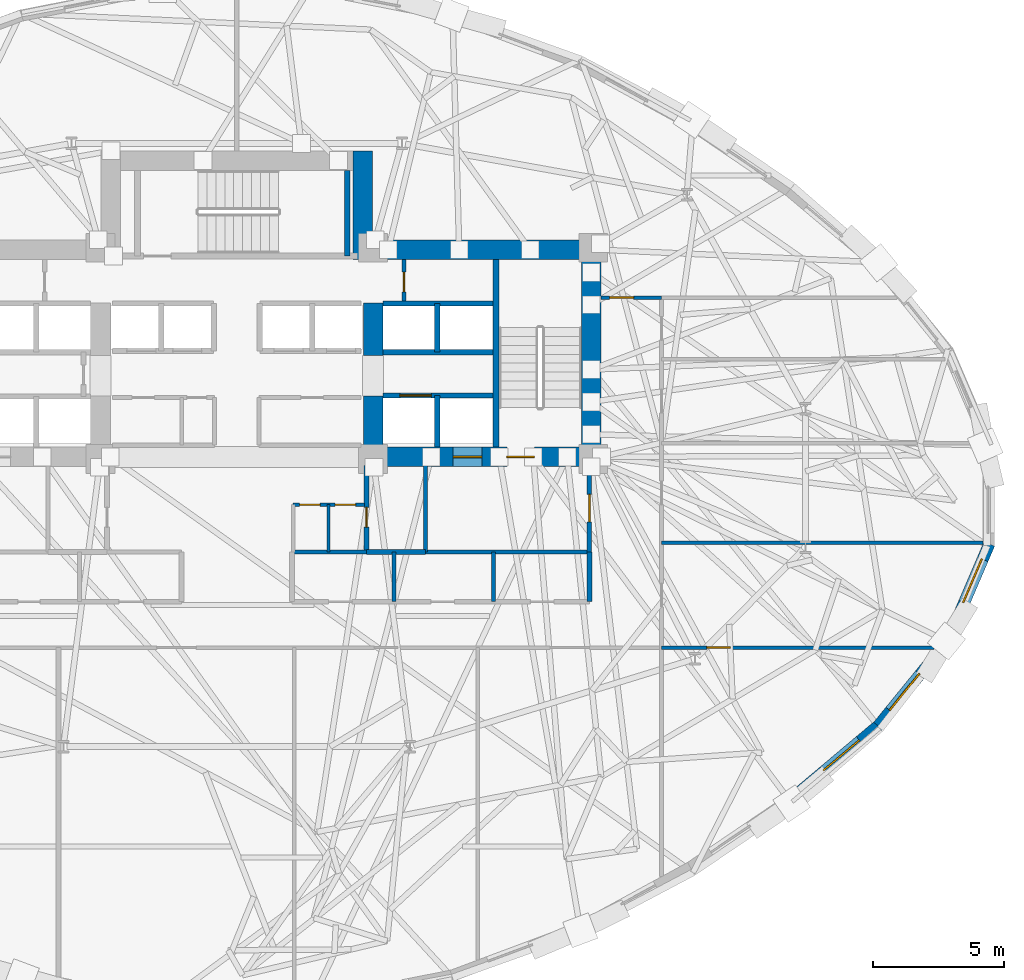
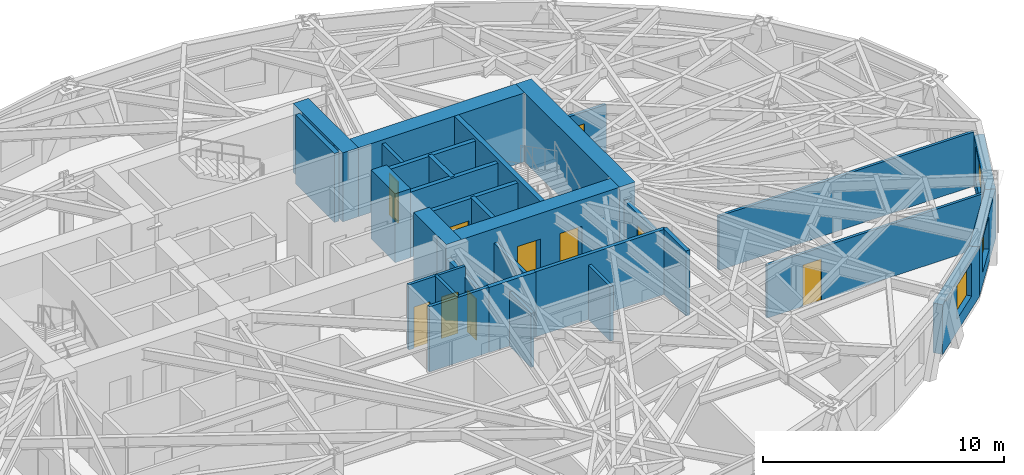
# One storey, part 9 of 14: 31 walls, 10 doors, 3 windows, 13 openings.
"""IFC4 building model written with IfcOpenShell, lengths in metres."""

from ifc_helpers import new_model, si_unit, direction, frame, frame_2d, origin, place, context, subcontext, project, spatial, rectangle, extrude, material, layer, layer_set, type_object, element, fill, save


model = new_model("IFC4")

# Units and contexts
model_context = context("Model", 3, precision=1e-05, world=origin(), true_north=direction((0.0, 1.0)))
body_context = subcontext(model_context, "Body", "Model", "MODEL_VIEW")
ifc_project = project(units=[si_unit("LENGTHUNIT", "METRE"), si_unit("AREAUNIT", "SQUARE_METRE"), si_unit("VOLUMEUNIT", "CUBIC_METRE"), si_unit("PLANEANGLEUNIT", "RADIAN"), si_unit("MASSUNIT", "GRAM", prefix="KILO")], contexts=[model_context])

# Site, building, storey
site_placement = place(None, origin())
site = spatial("IfcSite", under=ifc_project, at=site_placement, CompositionType="ELEMENT")
building_placement = place(site_placement, origin())
building = spatial("IfcBuilding", under=site, at=building_placement, Name="Keldmark Tower", CompositionType="ELEMENT")
storey_placement = place(building_placement, frame((0.0, 0.0, 89.60009765625)))
storey = spatial("IfcBuildingStorey", under=building, at=storey_placement, Name="L23", CompositionType="ELEMENT", Elevation=89.60009765625)

# Wall, opening, door
ifc_material_1 = material(Name="Acoustic Double-Layer Gypsum Corridor Partition", Category="gypsum")
ifc_layer_1 = layer(ifc_material_1, 0.139892578125)
ifc_layer_set_1 = layer_set([ifc_layer_1], Name="Acoustic Double-Layer Gypsum Corridor Partition")
wall_type_1 = type_object("IfcWallType", Name="Acoustic Corridor Partition 140 mm", PredefinedType="PARTITIONING", material=ifc_layer_set_1)
wall_1_placement = place(storey_placement, frame((13.89990234375, 7.550048828125, 0.0), z_axis=(0.0, 0.0, 1.0), x_axis=(1.0, 0.0, 0.0)))
wall_1 = element("IfcWall", 1, at=wall_1_placement, inside=storey, type_object=wall_type_1, Name="L23 Acoustic Corridor Partition 140 mm COR-EN-CAP", PredefinedType="PARTITIONING", context=body_context, shape_type="SweptSolid", body=[
    extrude(rectangle(XDim=2.300048828125, YDim=0.139892578125, at=frame_2d((1.14990234375, 0.0))), origin(), (0.0, 0.0, 1.0), 2.762939453125),
])
opening_1_placement = place(wall_1_placement, frame((0.320068359375, 0.0, 0.0)))
opening_1 = element("IfcOpeningElement", 2, at=opening_1_placement, cuts=wall_1, Name="Opening D-EX092", PredefinedType="OPENING", context=body_context, shape_type="SweptSolid", body=[
    extrude(rectangle(XDim=0.919921875, YDim=2.14990234375, at=frame_2d((0.4599609375, 1.074951171875))), frame((0.0, 0.079833984375, 0.0), z_axis=(0.0, -1.0, 0.0), x_axis=(1.0, 0.0, 0.0)), (0.0, 0.0, 1.0), 0.159912109375),
])
ifc_material_2 = material(Name="Flush American Ash Executive Office Door", Category="wood")
door_type_1 = type_object("IfcDoorType", Name="Executive Office Door 920x2150", OperationType="NOTDEFINED", PredefinedType="DOOR", material=ifc_material_2)
door_1_placement = place(opening_1_placement, origin())
door_1 = element("IfcDoor", 3, at=door_1_placement, inside=storey, type_object=door_type_1, Name="L23 Executive Office Door 920x2150 D-NRNE-L23", OperationType="SINGLE_SWING_RIGHT", OverallHeight=2.14990234375, OverallWidth=0.919921875, PredefinedType="DOOR", context=body_context, shape_type="SweptSolid", body=[
    extrude(rectangle(XDim=0.919921875, YDim=2.14990234375, at=frame_2d((0.4599609375, 1.074951171875))), frame((0.0, 0.02490234375, 0.0), z_axis=(0.0, -1.0, 0.0), x_axis=(1.0, 0.0, 0.0)), (0.0, 0.0, 1.0), 0.050048828125),
])
fill(opening_1, door_1)

# Wall
ifc_material_3 = material(Name="Heavy Acoustic Plumbing Chase Gypsum Assembly", Category="gypsum")
ifc_layer_2 = layer(ifc_material_3, 0.18994140625)
ifc_layer_set_2 = layer_set([ifc_layer_2], Name="Heavy Acoustic Plumbing Chase Gypsum Assembly")
wall_type_2 = type_object("IfcWallType", Name="Heavy Wet Wall 190 mm", PredefinedType="PLUMBINGWALL", material=ifc_layer_set_2)
wall_2_placement = place(storey_placement, frame((13.449951171875, -4.050048828125, 0.0), z_axis=(0.0, 0.0, 1.0), x_axis=(0.0, 1.0, 0.0)))
element("IfcWall", 4, at=wall_2_placement, inside=storey, type_object=wall_type_2, Name="L23 Heavy Wet Wall 190 mm SPK-E-E", PredefinedType="PLUMBINGWALL", context=body_context, shape_type="SweptSolid", body=[
    extrude(rectangle(XDim=1.900146484375, YDim=0.18994140625, at=frame_2d((0.9501953125, 0.0))), origin(), (0.0, 0.0, 1.0), 3.309814453125),
])

# Wall, openings, doors
ifc_material_4 = material(Name="Acoustic Gypsum Board Interior Partition", Category="gypsum")
ifc_layer_3 = layer(ifc_material_4, 0.1298828125)
ifc_layer_set_3 = layer_set([ifc_layer_3], Name="Acoustic Gypsum Board Interior Partition")
wall_type_3 = type_object("IfcWallType", Name="Interior Partition 130 mm", PredefinedType="PARTITIONING", material=ifc_layer_set_3)
wall_3_placement = place(storey_placement, frame((2.14990234375, -0.35009765625, 0.0), z_axis=(0.0, 0.0, 1.0), x_axis=(1.0, 0.0, 0.0)))
wall_3 = element("IfcWall", 5, at=wall_3_placement, inside=storey, type_object=wall_type_3, Name="L23 Interior Partition 130 mm CSC-E-N", PredefinedType="PARTITIONING", context=body_context, shape_type="SweptSolid", body=[
    extrude(rectangle(XDim=2.72998046875, YDim=0.1298828125, at=frame_2d((1.364990234375, 0.0))), origin(), (0.0, 0.0, 1.0), 3.309814453125),
])
opening_2_placement = place(wall_3_placement, frame((0.25, 0.0, 0.0)))
opening_2 = element("IfcOpeningElement", 6, at=opening_2_placement, cuts=wall_3, Name="Opening D-CL078", PredefinedType="OPENING", context=body_context, shape_type="SweptSolid", body=[
    extrude(rectangle(XDim=0.780029296875, YDim=2.10009765625, at=frame_2d((0.39013671875, 1.050048828125))), frame((0.0, 0.074951171875, 0.0), z_axis=(0.0, -1.0, 0.0), x_axis=(1.0, 0.0, 0.0)), (0.0, 0.0, 1.0), 0.14990234375),
])
opening_3_placement = place(wall_3_placement, frame((1.60009765625, 0.0, 0.0)))
opening_3 = element("IfcOpeningElement", 7, at=opening_3_placement, cuts=wall_3, Name="Opening D-CL078", PredefinedType="OPENING", context=body_context, shape_type="SweptSolid", body=[
    extrude(rectangle(XDim=0.780029296875, YDim=2.10009765625, at=frame_2d((0.39013671875, 1.050048828125))), frame((0.0, 0.074951171875, 0.0), z_axis=(0.0, -1.0, 0.0), x_axis=(1.0, 0.0, 0.0)), (0.0, 0.0, 1.0), 0.14990234375),
])
ifc_material_5 = material(Name="Flush Utility Closet Timber Door", Category="wood")
door_type_2 = type_object("IfcDoorType", Name="Closet Door 780x2100", OperationType="NOTDEFINED", PredefinedType="DOOR", material=ifc_material_5)
door_2_placement = place(opening_2_placement, origin())
door_2 = element("IfcDoor", 8, at=door_2_placement, inside=storey, type_object=door_type_2, Name="L23 Closet Door 780x2100 D-CSCE1-L23", OperationType="SINGLE_SWING_LEFT", OverallHeight=2.10009765625, OverallWidth=0.780029296875, PredefinedType="DOOR", context=body_context, shape_type="SweptSolid", body=[
    extrude(rectangle(XDim=0.780029296875, YDim=2.10009765625, at=frame_2d((0.39013671875, 1.050048828125))), frame((0.0, 0.02490234375, 0.0), z_axis=(0.0, -1.0, 0.0), x_axis=(1.0, 0.0, 0.0)), (0.0, 0.0, 1.0), 0.050048828125),
])
fill(opening_2, door_2)
door_3_placement = place(opening_3_placement, origin())
door_3 = element("IfcDoor", 9, at=door_3_placement, inside=storey, type_object=door_type_2, Name="L23 Closet Door 780x2100 D-CSCE2-L23", OperationType="SINGLE_SWING_RIGHT", OverallHeight=2.10009765625, OverallWidth=0.780029296875, PredefinedType="DOOR", context=body_context, shape_type="SweptSolid", body=[
    extrude(rectangle(XDim=0.780029296875, YDim=2.10009765625, at=frame_2d((0.39013671875, 1.050048828125))), frame((0.0, 0.02490234375, 0.0), z_axis=(0.0, -1.0, 0.0), x_axis=(1.0, 0.0, 0.0)), (0.0, 0.0, 1.0), 0.050048828125),
])
fill(opening_3, door_3)

# Wall
wall_4_placement = place(storey_placement, frame((3.5, -2.14990234375, 0.0), z_axis=(0.0, 0.0, 1.0), x_axis=(0.0, 1.0, 0.0)))
element("IfcWall", 10, at=wall_4_placement, inside=storey, type_object=wall_type_3, Name="L23 Interior Partition 130 mm CSC-E-M", PredefinedType="PARTITIONING", context=body_context, shape_type="SweptSolid", body=[
    extrude(rectangle(XDim=1.7998046875, YDim=0.1298828125, at=frame_2d((0.89990234375, 0.0))), origin(), (0.0, 0.0, 1.0), 3.309814453125),
])

# Wall, opening, door
wall_5_placement = place(storey_placement, frame((16.199951171875, -5.800048828125, 0.0), z_axis=(0.0, 0.0, 1.0), x_axis=(1.0, 0.0, 0.0)))
wall_5 = element("IfcWall", 11, at=wall_5_placement, inside=storey, type_object=wall_type_3, Name="L23 Interior Partition 130 mm E-CAP-S", PredefinedType="PARTITIONING", context=body_context, shape_type="SweptSolid", body=[
    extrude(rectangle(XDim=10.404296875, YDim=0.1298828125, at=frame_2d((5.2021484375, 0.0))), origin(), (0.0, 0.0, 1.0), 2.68798828125),
])
opening_4_placement = place(wall_5_placement, frame((1.72998046875, 0.0, 0.0)))
opening_4 = element("IfcOpeningElement", 12, at=opening_4_placement, cuts=wall_5, Name="Opening D-IN090", PredefinedType="OPENING", context=body_context, shape_type="SweptSolid", body=[
    extrude(rectangle(XDim=0.89990234375, YDim=2.10009765625, at=frame_2d((0.449951171875, 1.050048828125))), frame((0.0, 0.074951171875, 0.0), z_axis=(0.0, -1.0, 0.0), x_axis=(1.0, 0.0, 0.0)), (0.0, 0.0, 1.0), 0.14990234375),
])
ifc_material_6 = material(Name="Stained American White Oak Veneer", Category="wood")
door_type_3 = type_object("IfcDoorType", Name="Interior Door 900x2100", OperationType="NOTDEFINED", PredefinedType="DOOR", material=ifc_material_6)
door_4_placement = place(opening_4_placement, origin())
door_4 = element("IfcDoor", 13, at=door_4_placement, inside=storey, type_object=door_type_3, Name="L23 Interior Door 900x2100 D-ERSE-L23", OperationType="SINGLE_SWING_RIGHT", OverallHeight=2.10009765625, OverallWidth=0.89990234375, PredefinedType="DOOR", context=body_context, shape_type="SweptSolid", body=[
    extrude(rectangle(XDim=0.89990234375, YDim=2.10009765625, at=frame_2d((0.449951171875, 1.050048828125))), frame((0.0, 0.02490234375, 0.0), z_axis=(0.0, -1.0, 0.0), x_axis=(1.0, 0.0, 0.0)), (0.0, 0.0, 1.0), 0.050048828125),
])
fill(opening_4, door_4)

# Walls
wall_6_placement = place(storey_placement, frame((16.199951171875, -1.800048828125, 0.0), z_axis=(0.0, 0.0, 1.0), x_axis=(1.0, 0.0, 0.0)))
element("IfcWall", 14, at=wall_6_placement, inside=storey, type_object=wall_type_3, Name="L23 Interior Partition 130 mm E-DIV-1", PredefinedType="PARTITIONING", context=body_context, shape_type="SweptSolid", body=[
    extrude(rectangle(XDim=12.26171875, YDim=0.1298828125, at=frame_2d((6.130859375, 0.0))), origin(), (0.0, 0.0, 1.0), 2.7509765625),
])
ifc_material_7 = material(Name="Concrete C70/85", Category="concrete")
ifc_layer_4 = layer(ifc_material_7, 0.75)
ifc_layer_set_4 = layer_set([ifc_layer_4], Name="Concrete C70/85")
wall_type_4 = type_object("IfcWallType", Name="Low-Mid Core Shear Wall 750 mm", PredefinedType="SHEAR", material=ifc_layer_set_4)
wall_7_placement = place(storey_placement, frame((13.52490234375, 1.10009765625, 0.0), z_axis=(0.0, 0.0, 1.0), x_axis=(0.0, 1.0, 0.0)))
element("IfcWall", 15, at=wall_7_placement, inside=storey, type_object=wall_type_4, Name="L23 East Core Outer Shear Wall", PredefinedType="SHEAR", context=body_context, shape_type="SweptSolid", body=[
    extrude(rectangle(XDim=8.64990234375, YDim=0.75, at=frame_2d((4.324951171875, 0.0))), origin(), (0.0, 0.0, 1.0), 3.5),
])
wall_8_placement = place(storey_placement, frame((4.425048828125, 9.375, 0.0), z_axis=(0.0, 0.0, 1.0), x_axis=(1.0, 0.0, 0.0)))
element("IfcWall", 16, at=wall_8_placement, inside=storey, type_object=wall_type_4, Name="L23 East Core North Shear Wall", PredefinedType="SHEAR", context=body_context, shape_type="SweptSolid", body=[
    extrude(rectangle(XDim=9.474853515625, YDim=0.75, at=frame_2d((4.7373046875, 0.0))), origin(), (0.0, 0.0, 1.0), 3.5),
])

# Wall, openings, doors
wall_9_placement = place(storey_placement, frame((13.89990234375, 1.47509765625, 0.0), z_axis=(0.0, 0.0, 1.0), x_axis=(-1.0, 0.0, 0.0)))
wall_9 = element("IfcWall", 17, at=wall_9_placement, inside=storey, type_object=wall_type_4, Name="L23 East Core South Shear Wall", PredefinedType="SHEAR", context=body_context, shape_type="SweptSolid", body=[
    extrude(rectangle(XDim=9.074951171875, YDim=0.75, at=frame_2d((4.53759765625, 0.0))), origin(), (0.0, 0.0, 1.0), 3.5),
])
opening_5_placement = place(wall_9_placement, frame((2.550048828125, 0.0, 0.0)))
opening_5 = element("IfcOpeningElement", 18, at=opening_5_placement, cuts=wall_9, Name="Opening D-ST105", PredefinedType="OPENING", context=body_context, shape_type="SweptSolid", body=[
    extrude(rectangle(XDim=1.050048828125, YDim=2.14990234375, at=frame_2d((0.52490234375, 1.074951171875))), frame((0.0, 0.385009765625, 0.0), z_axis=(0.0, -1.0, 0.0), x_axis=(1.0, 0.0, 0.0)), (0.0, 0.0, 1.0), 0.77001953125),
])
opening_6_placement = place(wall_9_placement, frame((4.550048828125, 0.0, 0.0)))
opening_6 = element("IfcOpeningElement", 19, at=opening_6_placement, cuts=wall_9, Name="Opening LD-110", PredefinedType="OPENING", context=body_context, shape_type="SweptSolid", body=[
    extrude(rectangle(XDim=1.10009765625, YDim=2.199951171875, at=frame_2d((0.550048828125, 1.10009765625))), frame((0.0, 0.385009765625, 0.0), z_axis=(0.0, -1.0, 0.0), x_axis=(1.0, 0.0, 0.0)), (0.0, 0.0, 1.0), 0.77001953125),
])
ifc_material_8 = material(Name="Brushed Bronze Hoistway Sliding Leaf", Category="metal")
door_type_4 = type_object("IfcDoorType", Name="Lift Landing Sliding Door 1100x2200", OperationType="SLIDING_TO_LEFT", PredefinedType="DOOR", material=ifc_material_8)
door_5_placement = place(opening_6_placement, origin())
door_5 = element("IfcDoor", 20, at=door_5_placement, inside=storey, type_object=door_type_4, Name="L23 Lift Landing Sliding Door 1100x2200 LD-EL-FS2-L23", OperationType="SLIDING_TO_LEFT", OverallHeight=2.199951171875, OverallWidth=1.10009765625, PredefinedType="DOOR", context=body_context, shape_type="SweptSolid", body=[
    extrude(rectangle(XDim=1.10009765625, YDim=2.199951171875, at=frame_2d((0.550048828125, 1.10009765625))), frame((0.0, 0.02490234375, 0.0), z_axis=(0.0, -1.0, 0.0), x_axis=(1.0, 0.0, 0.0)), (0.0, 0.0, 1.0), 0.050048828125),
])
fill(opening_6, door_5)
ifc_material_9 = material(Name="Hollow Metal Fire-Rated Door Assembly", Category="metal")
door_type_5 = type_object("IfcDoorType", Name="Stair Fire Door 1050x2150", OperationType="NOTDEFINED", PredefinedType="DOOR", material=ifc_material_9)
door_6_placement = place(opening_5_placement, origin())
door_6 = element("IfcDoor", 21, at=door_6_placement, inside=storey, type_object=door_type_5, Name="L23 Stair Fire Door 1050x2150 D-ST2-L23", OperationType="SINGLE_SWING_LEFT", OverallHeight=2.14990234375, OverallWidth=1.050048828125, PredefinedType="DOOR", context=body_context, shape_type="SweptSolid", body=[
    extrude(rectangle(XDim=1.050048828125, YDim=2.14990234375, at=frame_2d((0.52490234375, 1.074951171875))), frame((0.0, 0.02490234375, 0.0), z_axis=(0.0, -1.0, 0.0), x_axis=(1.0, 0.0, 0.0)), (0.0, 0.0, 1.0), 0.050048828125),
])
fill(opening_5, door_6)

# Walls
wall_10_placement = place(storey_placement, frame((5.199951171875, 1.10009765625, 0.0), z_axis=(0.0, 0.0, 1.0), x_axis=(0.0, 1.0, 0.0)))
element("IfcWall", 22, at=wall_10_placement, inside=storey, type_object=wall_type_4, Name="L23 East Core Inner Shear Pier South", PredefinedType="SHEAR", context=body_context, shape_type="SweptSolid", body=[
    extrude(rectangle(XDim=2.699951171875, YDim=0.75, at=frame_2d((1.35009765625, 0.0))), origin(), (0.0, 0.0, 1.0), 3.5),
])
wall_11_placement = place(storey_placement, frame((5.199951171875, 5.35009765625, 0.0), z_axis=(0.0, 0.0, 1.0), x_axis=(0.0, 1.0, 0.0)))
element("IfcWall", 23, at=wall_11_placement, inside=storey, type_object=wall_type_4, Name="L23 East Core Inner Shear Pier North", PredefinedType="SHEAR", context=body_context, shape_type="SweptSolid", body=[
    extrude(rectangle(XDim=2.0, YDim=0.75, at=frame_2d((1.0, 0.0))), origin(), (0.0, 0.0, 1.0), 3.5),
])
wall_12_placement = place(storey_placement, frame((4.800048828125, 9.0, 0.0), z_axis=(0.0, 0.0, 1.0), x_axis=(0.0, 1.0, 0.0)))
element("IfcWall", 24, at=wall_12_placement, inside=storey, type_object=wall_type_4, Name="L23 North Core East Shear Wall", PredefinedType="SHEAR", context=body_context, shape_type="SweptSolid", body=[
    extrude(rectangle(XDim=4.14990234375, YDim=0.75, at=frame_2d((2.074951171875, 0.0))), origin(), (0.0, 0.0, 1.0), 3.5),
])
ifc_material_10 = material(Name="Type X Fire-Rated Gypsum Partition Assembly", Category="gypsum")
ifc_layer_5 = layer(ifc_material_10, 0.1650390625)
ifc_layer_set_5 = layer_set([ifc_layer_5], Name="Type X Fire-Rated Gypsum Partition Assembly")
wall_type_5 = type_object("IfcWallType", Name="Rated Partition 165 mm", PredefinedType="PARTITIONING", material=ifc_layer_set_5)
wall_13_placement = place(storey_placement, frame((7.199951171875, -2.14990234375, 0.0), z_axis=(0.0, 0.0, 1.0), x_axis=(1.0, 0.0, 0.0)))
element("IfcWall", 25, at=wall_13_placement, inside=storey, type_object=wall_type_5, Name="L23 Rated Partition 165 mm FSAE-E-S", PredefinedType="PARTITIONING", context=body_context, shape_type="SweptSolid", body=[
    extrude(rectangle(XDim=6.25, YDim=0.1650390625, at=frame_2d((3.125, 0.0))), origin(), (0.0, 0.0, 1.0), 3.309814453125),
])
wall_14_placement = place(storey_placement, frame((7.199951171875, -2.14990234375, 0.0), z_axis=(0.0, 0.0, 1.0), x_axis=(0.0, 1.0, 0.0)))
element("IfcWall", 26, at=wall_14_placement, inside=storey, type_object=wall_type_5, Name="L23 Rated Partition 165 mm FSAE-E-W", PredefinedType="PARTITIONING", context=body_context, shape_type="SweptSolid", body=[
    extrude(rectangle(XDim=3.2998046875, YDim=0.1650390625, at=frame_2d((1.64990234375, 0.0))), origin(), (0.0, 0.0, 1.0), 2.762939453125),
])

# Wall, opening, door
wall_15_placement = place(storey_placement, frame((13.449951171875, -2.14990234375, 0.0), z_axis=(0.0, 0.0, 1.0), x_axis=(0.0, 1.0, 0.0)))
wall_15 = element("IfcWall", 27, at=wall_15_placement, inside=storey, type_object=wall_type_5, Name="L23 Rated Partition 165 mm FSAE-E-E", PredefinedType="PARTITIONING", context=body_context, shape_type="SweptSolid", body=[
    extrude(rectangle(XDim=3.2998046875, YDim=0.1650390625, at=frame_2d((1.64990234375, 0.0))), origin(), (0.0, 0.0, 1.0), 2.762939453125),
])
opening_7_placement = place(wall_15_placement, frame((1.14990234375, 0.0, 0.0)))
opening_7 = element("IfcOpeningElement", 28, at=opening_7_placement, cuts=wall_15, Name="Opening D-FL105", PredefinedType="OPENING", context=body_context, shape_type="SweptSolid", body=[
    extrude(rectangle(XDim=1.050048828125, YDim=2.14990234375, at=frame_2d((0.52490234375, 1.074951171875))), frame((0.0, 0.092529296875, 0.0), z_axis=(0.0, -1.0, 0.0), x_axis=(1.0, 0.0, 0.0)), (0.0, 0.0, 1.0), 0.18505859375),
])
ifc_material_11 = material(Name="Fire-Rated Mineral-Core Door and Vision Lite", Category="metal")
door_type_6 = type_object("IfcDoorType", Name="Fire Lobby Door 1050x2150", OperationType="NOTDEFINED", PredefinedType="DOOR", material=ifc_material_11)
door_7_placement = place(opening_7_placement, origin())
door_7 = element("IfcDoor", 29, at=door_7_placement, inside=storey, type_object=door_type_6, Name="L23 Fire Lobby Door 1050x2150 D-FSAEE-OUT-L23", OperationType="SINGLE_SWING_LEFT", OverallHeight=2.14990234375, OverallWidth=1.050048828125, PredefinedType="DOOR", context=body_context, shape_type="SweptSolid", body=[
    extrude(rectangle(XDim=1.050048828125, YDim=2.14990234375, at=frame_2d((0.52490234375, 1.074951171875))), frame((0.0, 0.02490234375, 0.0), z_axis=(0.0, -1.0, 0.0), x_axis=(1.0, 0.0, 0.0)), (0.0, 0.0, 1.0), 0.050048828125),
])
fill(opening_7, door_7)

wall_16_placement = place(storey_placement, frame((6.3798828125, 7.419921875, 0.0), z_axis=(0.0, 0.0, 1.0), x_axis=(0.0, 1.0, 0.0)))
wall_16 = element("IfcWall", 30, at=wall_16_placement, inside=storey, type_object=wall_type_5, Name="L23 Rated Partition 165 mm CS-NE-W", PredefinedType="PARTITIONING", context=body_context, shape_type="SweptSolid", body=[
    extrude(rectangle(XDim=1.580078125, YDim=0.1650390625, at=frame_2d((0.7900390625, 0.0))), origin(), (0.0, 0.0, 1.0), 3.309814453125),
])
opening_8_placement = place(wall_16_placement, frame((0.35009765625, 0.0, 0.0)))
opening_8 = element("IfcOpeningElement", 31, at=opening_8_placement, cuts=wall_16, Name="Opening D-RS075", PredefinedType="OPENING", context=body_context, shape_type="SweptSolid", body=[
    extrude(rectangle(XDim=0.75, YDim=2.10009765625, at=frame_2d((0.375, 1.050048828125))), frame((0.0, 0.092529296875, 0.0), z_axis=(0.0, -1.0, 0.0), x_axis=(1.0, 0.0, 0.0)), (0.0, 0.0, 1.0), 0.18505859375),
])
ifc_material_12 = material(Name="Galvanized Fire-Rated Access Leaf", Category="metal")
door_type_7 = type_object("IfcDoorType", Name="Riser Access Door 750x2100", OperationType="NOTDEFINED", PredefinedType="DOOR", material=ifc_material_12)
door_8_placement = place(opening_8_placement, origin())
door_8 = element("IfcDoor", 32, at=door_8_placement, inside=storey, type_object=door_type_7, Name="L23 Riser Access Door 750x2100 D-CSNE1-L23", OperationType="SINGLE_SWING_LEFT", OverallHeight=2.10009765625, OverallWidth=0.75, PredefinedType="DOOR", context=body_context, shape_type="SweptSolid", body=[
    extrude(rectangle(XDim=0.75, YDim=2.10009765625, at=frame_2d((0.375, 1.050048828125))), frame((0.0, 0.02490234375, 0.0), z_axis=(0.0, -1.0, 0.0), x_axis=(1.0, 0.0, 0.0)), (0.0, 0.0, 1.0), 0.050048828125),
])
fill(opening_8, door_8)

# Wall
ifc_material_13 = material(Name="Fire-Resistant Type X Gypsum Shaftliner Coreboard", Category="gypsum")
ifc_layer_6 = layer(ifc_material_13, 0.199951171875)
ifc_layer_set_6 = layer_set([ifc_layer_6], Name="Fire-Resistant Type X Gypsum Shaftliner Coreboard")
wall_type_6 = type_object("IfcWallType", Name="Shaft Wall 200 mm", PredefinedType="SOLIDWALL", material=ifc_layer_set_6)
wall_17_placement = place(storey_placement, frame((4.949951171875, -2.14990234375, 0.0), z_axis=(0.0, 0.0, 1.0), x_axis=(1.0, 0.0, 0.0)))
element("IfcWall", 33, at=wall_17_placement, inside=storey, type_object=wall_type_6, Name="L23 Shaft Wall 200 mm RIS-SE-S", PredefinedType="SOLIDWALL", context=body_context, shape_type="SweptSolid", body=[
    extrude(rectangle(XDim=2.25, YDim=0.199951171875, at=frame_2d((1.125, 0.0))), origin(), (0.0, 0.0, 1.0), 3.309814453125),
])

# Wall, opening, door
wall_18_placement = place(storey_placement, frame((4.949951171875, -2.14990234375, 0.0), z_axis=(0.0, 0.0, 1.0), x_axis=(0.0, 1.0, 0.0)))
wall_18 = element("IfcWall", 34, at=wall_18_placement, inside=storey, type_object=wall_type_6, Name="L23 Shaft Wall 200 mm RIS-SE-W", PredefinedType="SOLIDWALL", context=body_context, shape_type="SweptSolid", body=[
    extrude(rectangle(XDim=3.2998046875, YDim=0.199951171875, at=frame_2d((1.64990234375, 0.0))), origin(), (0.0, 0.0, 1.0), 2.762939453125),
])
opening_9_placement = place(wall_18_placement, frame((0.949951171875, 0.0, 0.0)))
opening_9 = element("IfcOpeningElement", 35, at=opening_9_placement, cuts=wall_18, Name="Opening D-RS075", PredefinedType="OPENING", context=body_context, shape_type="SweptSolid", body=[
    extrude(rectangle(XDim=0.75, YDim=2.10009765625, at=frame_2d((0.375, 1.050048828125))), frame((0.0, 0.10986328125, 0.0), z_axis=(0.0, -1.0, 0.0), x_axis=(1.0, 0.0, 0.0)), (0.0, 0.0, 1.0), 0.219970703125),
])
door_9_placement = place(opening_9_placement, origin())
door_9 = element("IfcDoor", 36, at=door_9_placement, inside=storey, type_object=door_type_7, Name="L23 Riser Access Door 750x2100 D-RISSE-L23", OperationType="SINGLE_SWING_LEFT", OverallHeight=2.10009765625, OverallWidth=0.75, PredefinedType="DOOR", context=body_context, shape_type="SweptSolid", body=[
    extrude(rectangle(XDim=0.75, YDim=2.10009765625, at=frame_2d((0.375, 1.050048828125))), frame((0.0, 0.02490234375, 0.0), z_axis=(0.0, -1.0, 0.0), x_axis=(1.0, 0.0, 0.0)), (0.0, 0.0, 1.0), 0.050048828125),
])
fill(opening_9, door_9)

wall_19_placement = place(storey_placement, frame((5.574951171875, 3.820068359375, 0.0), z_axis=(0.0, 0.0, 1.0), x_axis=(1.0, 0.0, 0.0)))
wall_19 = element("IfcWall", 37, at=wall_19_placement, inside=storey, type_object=wall_type_6, Name="L23 Shaft Wall 200 mm HW-E-S", PredefinedType="SOLIDWALL", context=body_context, shape_type="SweptSolid", body=[
    extrude(rectangle(XDim=4.205078125, YDim=0.199951171875, at=frame_2d((2.1025390625, 0.0))), origin(), (0.0, 0.0, 1.0), 3.309814453125),
])
opening_10_placement = place(wall_19_placement, frame((0.64990234375, 0.0, 0.0)))
opening_10 = element("IfcOpeningElement", 38, at=opening_10_placement, cuts=wall_19, Name="Opening LD-120", PredefinedType="OPENING", context=body_context, shape_type="SweptSolid", body=[
    extrude(rectangle(XDim=1.199951171875, YDim=2.199951171875, at=frame_2d((0.60009765625, 1.10009765625))), frame((0.0, 0.10986328125, 0.0), z_axis=(0.0, -1.0, 0.0), x_axis=(1.0, 0.0, 0.0)), (0.0, 0.0, 1.0), 0.219970703125),
])
ifc_material_14 = material(Name="Heavy-Duty Brushed Metal Hoistway Sliding Leaf", Category="metal")
door_type_8 = type_object("IfcDoorType", Name="Service Lift Sliding Door 1200x2200", OperationType="SLIDING_TO_RIGHT", PredefinedType="DOOR", material=ifc_material_14)
door_10_placement = place(opening_10_placement, origin())
door_10 = element("IfcDoor", 39, at=door_10_placement, inside=storey, type_object=door_type_8, Name="L23 Service Lift Sliding Door 1200x2200 LD-EL-SV1-L23", OperationType="SLIDING_TO_RIGHT", OverallHeight=2.199951171875, OverallWidth=1.199951171875, PredefinedType="DOOR", context=body_context, shape_type="SweptSolid", body=[
    extrude(rectangle(XDim=1.199951171875, YDim=2.199951171875, at=frame_2d((0.60009765625, 1.10009765625))), frame((0.0, 0.02490234375, 0.0), z_axis=(0.0, -1.0, 0.0), x_axis=(1.0, 0.0, 0.0)), (0.0, 0.0, 1.0), 0.050048828125),
])
fill(opening_10, door_10)

# Walls
wall_20_placement = place(storey_placement, frame((7.64990234375, 1.85009765625, 0.0), z_axis=(0.0, 0.0, 1.0), x_axis=(0.0, 1.0, 0.0)))
element("IfcWall", 40, at=wall_20_placement, inside=storey, type_object=wall_type_6, Name="L23 Shaft Wall 200 mm HW-E-M", PredefinedType="SOLIDWALL", context=body_context, shape_type="SweptSolid", body=[
    extrude(rectangle(XDim=1.969970703125, YDim=0.199951171875, at=frame_2d((0.98486328125, 0.0))), origin(), (0.0, 0.0, 1.0), 3.309814453125),
])
for number, where, z_axis, x_axis, name in (
    (41, (5.574951171875, 5.469970703125, 0.0), (0.0, 0.0, 1.0), (1.0, 0.0, 0.0), "L23 Shaft Wall 200 mm HW-E-N"),
    (42, (5.574951171875, 7.330078125, 0.0), (0.0, 0.0, 1.0), (1.0, 0.0, 0.0), "L23 Shaft Wall 200 mm HW-E-TOP"),
):
    element("IfcWall", number, at=place(storey_placement, frame(where, z_axis=z_axis, x_axis=x_axis)), inside=storey, type_object=wall_type_6, Name=name, PredefinedType="SOLIDWALL", context=body_context, shape_type="SweptSolid", body=[
        extrude(rectangle(XDim=4.205078125, YDim=0.199951171875, at=frame_2d((2.1025390625, 0.0))), origin(), (0.0, 0.0, 1.0), 3.309814453125),
    ])
wall_21_placement = place(storey_placement, frame((7.64990234375, 5.469970703125, 0.0), z_axis=(0.0, 0.0, 1.0), x_axis=(0.0, 1.0, 0.0)))
element("IfcWall", 43, at=wall_21_placement, inside=storey, type_object=wall_type_6, Name="L23 Shaft Wall 200 mm HW-E-NM", PredefinedType="SOLIDWALL", context=body_context, shape_type="SweptSolid", body=[
    extrude(rectangle(XDim=1.860107421875, YDim=0.199951171875, at=frame_2d((0.93017578125, 0.0))), origin(), (0.0, 0.0, 1.0), 3.309814453125),
])
ifc_material_15 = material(Name="Concrete C50/60", Category="concrete")
ifc_layer_7 = layer(ifc_material_15, 0.219970703125)
ifc_layer_set_7 = layer_set([ifc_layer_7], Name="Concrete C50/60")
wall_type_7 = type_object("IfcWallType", Name="Stair Core Shear Wall 220 mm", PredefinedType="SHEAR", material=ifc_layer_set_7)
wall_22_placement = place(storey_placement, frame((9.889892578125, 1.85009765625, 0.0), z_axis=(0.0, 0.0, 1.0), x_axis=(0.0, 1.0, 0.0)))
element("IfcWall", 44, at=wall_22_placement, inside=storey, type_object=wall_type_7, Name="L23 East Stair Core Shear Wall", PredefinedType="SHEAR", context=body_context, shape_type="SweptSolid", body=[
    extrude(rectangle(XDim=7.14990234375, YDim=0.219970703125, at=frame_2d((3.574951171875, 0.0))), origin(), (0.0, 0.0, 1.0), 3.5),
])
wall_23_placement = place(storey_placement, frame((4.215087890625, 9.139892578125, 0.0), z_axis=(0.0, 0.0, 1.0), x_axis=(0.0, 1.0, 0.0)))
element("IfcWall", 45, at=wall_23_placement, inside=storey, type_object=wall_type_7, Name="L23 Central Stair Core East Shear Wall", PredefinedType="SHEAR", context=body_context, shape_type="SweptSolid", body=[
    extrude(rectangle(XDim=3.260009765625, YDim=0.219970703125, at=frame_2d((1.6298828125, 0.0))), origin(), (0.0, 0.0, 1.0), 3.5),
])

# Wall, opening, window
ifc_material_16 = material(Name="Ironspot Manganese Brick and Kasota Buff Limestone Spandrel Assembly", Category="masonry")
ifc_layer_8 = layer(ifc_material_16, 0.43994140625)
ifc_layer_set_8 = layer_set([ifc_layer_8], Name="Ironspot Manganese Brick and Kasota Buff Limestone Spandrel Assembly")
wall_type_8 = type_object("IfcWallType", Name="Tower Brick Pier and Spandrel Wall 440 mm", PredefinedType="STANDARD", material=ifc_layer_set_8)
wall_24_placement = place(storey_placement, frame((24.493408203125, -8.757080078125, 0.0), z_axis=(0.0, 0.0, 1.0), x_axis=(-0.765563867956, -0.643359902449, 0.0)))
wall_24 = element("IfcWall", 46, at=wall_24_placement, inside=storey, type_object=wall_type_8, Name="L23 Exterior Brick and Spandrel Wall 29", PredefinedType="STANDARD", context=body_context, shape_type="SweptSolid", body=[
    extrude(rectangle(XDim=4.468994140625, YDim=0.43994140625, at=frame_2d((2.234375, 0.0))), origin(), (0.0, 0.0, 1.0), 2.52783203125),
])
opening_11_placement = place(wall_24_placement, frame((0.93994140625, 0.0, 0.64990234375)))
opening_11 = element("IfcOpeningElement", 47, at=opening_11_placement, cuts=wall_24, Name="Opening W-02", PredefinedType="OPENING", context=body_context, shape_type="SweptSolid", body=[
    extrude(rectangle(XDim=1.800048828125, YDim=1.699951171875, at=frame_2d((0.89990234375, 0.85009765625))), frame((0.0, 0.22998046875, 0.0), z_axis=(0.0, -1.0, 0.0), x_axis=(1.0, 0.0, 0.0)), (0.0, 0.0, 1.0), 0.4599609375),
])
ifc_material_17 = material(Name="Thermally Broken Anodized Aluminum and Triple Low-E Argon Glazing", Category="aluminium")
window_type = type_object("IfcWindowType", Name="Office Deep-Set Triple Window 1800x1700", PartitioningType="TRIPLE_PANEL_VERTICAL", PredefinedType="WINDOW", material=ifc_material_17)
window_1_placement = place(opening_11_placement, origin())
window_1 = element("IfcWindow", 48, at=window_1_placement, inside=storey, type_object=window_type, Name="L23 Deep-Set Window 29", OverallHeight=1.699951171875, OverallWidth=1.800048828125, PartitioningType="SINGLE_PANEL", PredefinedType="WINDOW", context=body_context, shape_type="SweptSolid", body=[
    extrude(rectangle(XDim=1.800048828125, YDim=1.699951171875, at=frame_2d((0.89990234375, 0.85009765625))), frame((0.0, -0.010009765625, 0.0), z_axis=(0.0, -1.0, 0.0), x_axis=(1.0, 0.0, 0.0)), (0.0, 0.0, 1.0), 0.06005859375),
])
fill(opening_11, window_1)

wall_25_placement = place(storey_placement, frame((27.158935546875, -5.48046875, 0.0), z_axis=(0.0, 0.0, 1.0), x_axis=(-0.631768505266, -0.775157116818, 0.0)))
wall_25 = element("IfcWall", 49, at=wall_25_placement, inside=storey, type_object=wall_type_8, Name="L23 Exterior Brick and Spandrel Wall 30", PredefinedType="STANDARD", context=body_context, shape_type="SweptSolid", body=[
    extrude(rectangle(XDim=4.26513671875, YDim=0.43994140625, at=frame_2d((2.132568359375, 0.0))), origin(), (0.0, 0.0, 1.0), 2.52783203125),
])
opening_12_placement = place(wall_25_placement, frame((1.72412109375, 0.0, 0.64990234375)))
opening_12 = element("IfcOpeningElement", 50, at=opening_12_placement, cuts=wall_25, Name="Opening W-02", PredefinedType="OPENING", context=body_context, shape_type="SweptSolid", body=[
    extrude(rectangle(XDim=1.800048828125, YDim=1.699951171875, at=frame_2d((0.89990234375, 0.85009765625))), frame((0.0, 0.22998046875, 0.0), z_axis=(0.0, -1.0, 0.0), x_axis=(1.0, 0.0, 0.0)), (0.0, 0.0, 1.0), 0.4599609375),
])
window_2_placement = place(opening_12_placement, origin())
window_2 = element("IfcWindow", 51, at=window_2_placement, inside=storey, type_object=window_type, Name="L23 Deep-Set Window 30", OverallHeight=1.699951171875, OverallWidth=1.800048828125, PartitioningType="SINGLE_PANEL", PredefinedType="WINDOW", context=body_context, shape_type="SweptSolid", body=[
    extrude(rectangle(XDim=1.800048828125, YDim=1.699951171875, at=frame_2d((0.89990234375, 0.85009765625))), frame((0.0, -0.010009765625, 0.0), z_axis=(0.0, -1.0, 0.0), x_axis=(1.0, 0.0, 0.0)), (0.0, 0.0, 1.0), 0.06005859375),
])
fill(opening_12, window_2)

wall_26_placement = place(storey_placement, frame((28.70751953125, -1.843505859375, 0.0), z_axis=(0.0, 0.0, 1.0), x_axis=(-0.393757776232, -0.919214237083, 0.0)))
wall_26 = element("IfcWall", 52, at=wall_26_placement, inside=storey, type_object=wall_type_8, Name="L23 Exterior Brick and Spandrel Wall 31", PredefinedType="STANDARD", context=body_context, shape_type="SweptSolid", body=[
    extrude(rectangle(XDim=4.013427734375, YDim=0.43994140625, at=frame_2d((2.0068359375, 0.0))), origin(), (0.0, 0.0, 1.0), 2.52783203125),
])
opening_13_placement = place(wall_26_placement, frame((0.64111328125, 0.0, 0.64990234375)))
opening_13 = element("IfcOpeningElement", 53, at=opening_13_placement, cuts=wall_26, Name="Opening W-02", PredefinedType="OPENING", context=body_context, shape_type="SweptSolid", body=[
    extrude(rectangle(XDim=1.800048828125, YDim=1.699951171875, at=frame_2d((0.89990234375, 0.85009765625))), frame((0.0, 0.22998046875, 0.0), z_axis=(0.0, -1.0, 0.0), x_axis=(1.0, 0.0, 0.0)), (0.0, 0.0, 1.0), 0.4599609375),
])
window_3_placement = place(opening_13_placement, origin())
window_3 = element("IfcWindow", 54, at=window_3_placement, inside=storey, type_object=window_type, Name="L23 Deep-Set Window 31", OverallHeight=1.699951171875, OverallWidth=1.800048828125, PartitioningType="SINGLE_PANEL", PredefinedType="WINDOW", context=body_context, shape_type="SweptSolid", body=[
    extrude(rectangle(XDim=1.800048828125, YDim=1.699951171875, at=frame_2d((0.89990234375, 0.85009765625))), frame((0.0, -0.010009765625, 0.0), z_axis=(0.0, -1.0, 0.0), x_axis=(1.0, 0.0, 0.0)), (0.0, 0.0, 1.0), 0.06005859375),
])
fill(opening_13, window_3)

# Walls
ifc_material_18 = material(Name="Moisture-Resistant Gypsum Plumbing Partition", Category="gypsum")
ifc_layer_9 = layer(ifc_material_18, 0.14990234375)
ifc_layer_set_9 = layer_set([ifc_layer_9], Name="Moisture-Resistant Gypsum Plumbing Partition")
wall_type_9 = type_object("IfcWallType", Name="Wet Wall 150 mm", PredefinedType="PLUMBINGWALL", material=ifc_layer_set_9)
wall_27_placement = place(storey_placement, frame((2.10009765625, -2.14990234375, 0.0), z_axis=(0.0, 0.0, 1.0), x_axis=(1.0, 0.0, 0.0)))
element("IfcWall", 55, at=wall_27_placement, inside=storey, type_object=wall_type_9, Name="L23 Wet Wall 150 mm SPK-E-N", PredefinedType="PLUMBINGWALL", context=body_context, shape_type="SweptSolid", body=[
    extrude(rectangle(XDim=2.849853515625, YDim=0.14990234375, at=frame_2d((1.4248046875, 0.0))), origin(), (0.0, 0.0, 1.0), 3.309814453125),
])
wall_28_placement = place(storey_placement, frame((6.0, -4.050048828125, 0.0), z_axis=(0.0, 0.0, 1.0), x_axis=(0.0, 1.0, 0.0)))
element("IfcWall", 56, at=wall_28_placement, inside=storey, type_object=wall_type_9, Name="L23 Wet Wall 150 mm SPK-E-D1", PredefinedType="PLUMBINGWALL", context=body_context, shape_type="SweptSolid", body=[
    extrude(rectangle(XDim=1.900146484375, YDim=0.14990234375, at=frame_2d((0.9501953125, 0.0))), origin(), (0.0, 0.0, 1.0), 2.7509765625),
])
wall_29_placement = place(storey_placement, frame((9.800048828125, -4.050048828125, 0.0), z_axis=(0.0, 0.0, 1.0), x_axis=(0.0, 1.0, 0.0)))
element("IfcWall", 57, at=wall_29_placement, inside=storey, type_object=wall_type_9, Name="L23 Wet Wall 150 mm SPK-E-D2", PredefinedType="PLUMBINGWALL", context=body_context, shape_type="SweptSolid", body=[
    extrude(rectangle(XDim=1.900146484375, YDim=0.14990234375, at=frame_2d((0.9501953125, 0.0))), origin(), (0.0, 0.0, 1.0), 2.762939453125),
])

save(model, "model.ifc")
